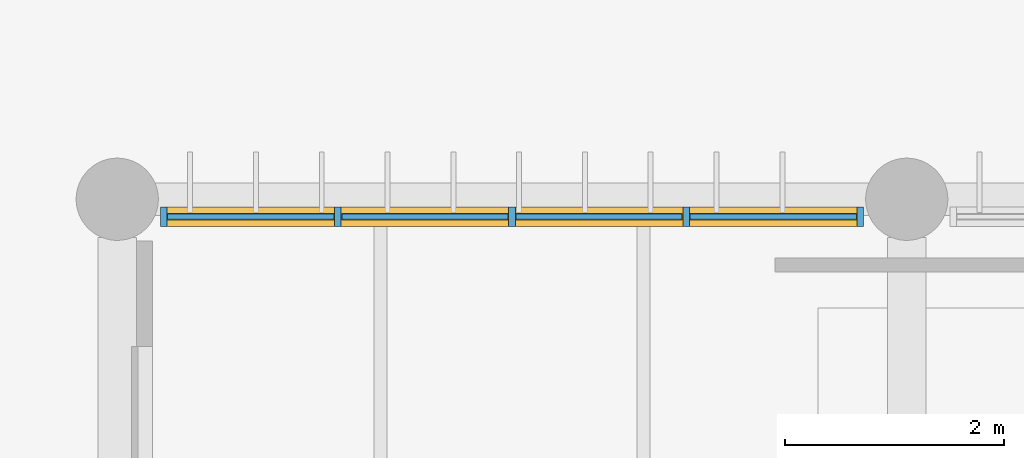
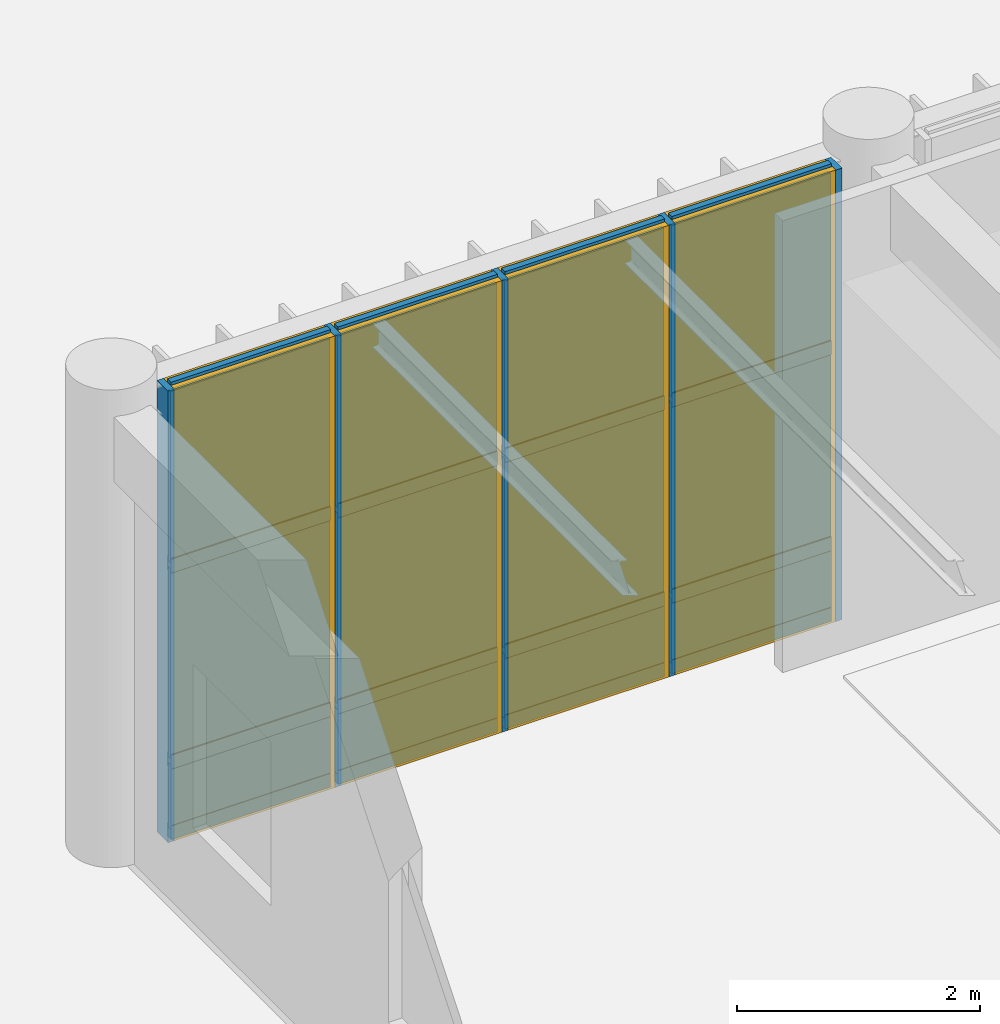
# One storey, part 58 of 122: 21 members, 12 plates, 1 curtain wall.
"""IFC4 building model written with IfcOpenShell, lengths in metres."""

from ifc_helpers import new_model, si_unit, direction, frame, frame_2d, origin, origin_2d, place, context, subcontext, project, spatial, rectangle, extrude, material, layer, layer_set, material_profile, profile_set, type_object, element, aggregate, save


model = new_model("IFC4")

# Units and contexts
model_context = context("Model", 3, precision=1e-05, world=origin(), true_north=direction((0.0, 1.0)))
body_context = subcontext(model_context, "Body", "Model", "MODEL_VIEW")
ifc_project = project(units=[si_unit("LENGTHUNIT", "METRE"), si_unit("AREAUNIT", "SQUARE_METRE"), si_unit("VOLUMEUNIT", "CUBIC_METRE"), si_unit("PLANEANGLEUNIT", "RADIAN"), si_unit("MASSUNIT", "GRAM", prefix="KILO")], contexts=[model_context])

# Member
ifc_material_1 = material(Name="Anodised Bronze Aluminium 6063-T6", Category="aluminium")
ifc_material_profile_1 = material_profile(ifc_material_1, rectangle(XDim=0.06005859375, YDim=0.179931640625, at=origin_2d()), Name="ALU MULLION 60x180")
ifc_profile_set_1 = profile_set([ifc_material_profile_1], Name="Anodised Bronze Aluminium 6063-T6")
member_type_1 = type_object("IfcMemberType", Name="Curtain-Wall Primary Mullion 60x180", PredefinedType="MULLION", material=ifc_profile_set_1)
site_placement = place(None, origin())
building_placement = place(site_placement, origin())
storey_placement = place(building_placement, origin())
member_1_placement = place(storey_placement, frame((36.425048828125, 30.0400390625, 0.0), z_axis=(0.0, 0.0, 1.0), x_axis=(1.0, 0.0, 0.0)))
member_1 = element("IfcMember", 1, at=member_1_placement, type_object=member_type_1, Name="Mullion CWM-01 CW-V5-NRET-W-L00-B1-M01", PredefinedType="MULLION", context=body_context, shape_type="SweptSolid", body=[
    extrude(rectangle(XDim=0.06005859375, YDim=0.179931640625, at=origin_2d()), origin(), (0.0, 0.0, 1.0), 4.5400390625),
])

member_2_placement = place(storey_placement, frame((38.012451171875, 30.0400390625, 0.0), z_axis=(0.0, 0.0, 1.0), x_axis=(1.0, 0.0, 0.0)))
member_2 = element("IfcMember", 2, at=member_2_placement, type_object=member_type_1, Name="Mullion CWM-01 CW-V5-NRET-W-L00-B1-M02", PredefinedType="MULLION", context=body_context, shape_type="SweptSolid", body=[
    extrude(rectangle(XDim=0.06005859375, YDim=0.179931640625, at=origin_2d()), origin(), (0.0, 0.0, 1.0), 4.5400390625),
])

member_3_placement = place(storey_placement, frame((39.60009765625, 30.0400390625, 0.0), z_axis=(0.0, 0.0, 1.0), x_axis=(1.0, 0.0, 0.0)))
member_3 = element("IfcMember", 3, at=member_3_placement, type_object=member_type_1, Name="Mullion CWM-01 CW-V5-NRET-W-L00-B1-M03", PredefinedType="MULLION", context=body_context, shape_type="SweptSolid", body=[
    extrude(rectangle(XDim=0.06005859375, YDim=0.179931640625, at=origin_2d()), origin(), (0.0, 0.0, 1.0), 4.5400390625),
])

member_4_placement = place(storey_placement, frame((41.1875, 30.0400390625, 0.0), z_axis=(0.0, 0.0, 1.0), x_axis=(1.0, 0.0, 0.0)))
member_4 = element("IfcMember", 4, at=member_4_placement, type_object=member_type_1, Name="Mullion CWM-01 CW-V5-NRET-W-L00-B1-M04", PredefinedType="MULLION", context=body_context, shape_type="SweptSolid", body=[
    extrude(rectangle(XDim=0.06005859375, YDim=0.179931640625, at=origin_2d()), origin(), (0.0, 0.0, 1.0), 4.5400390625),
])

member_5_placement = place(storey_placement, frame((42.77490234375, 30.0400390625, 0.0), z_axis=(0.0, 0.0, 1.0), x_axis=(1.0, 0.0, 0.0)))
member_5 = element("IfcMember", 5, at=member_5_placement, type_object=member_type_1, Name="Mullion CWM-01 CW-V5-NRET-W-L00-B1-M05", PredefinedType="MULLION", context=body_context, shape_type="SweptSolid", body=[
    extrude(rectangle(XDim=0.06005859375, YDim=0.179931640625, at=origin_2d()), origin(), (0.0, 0.0, 1.0), 4.5400390625),
])

ifc_material_profile_2 = material_profile(ifc_material_1, rectangle(XDim=0.06005859375, YDim=0.139892578125, at=origin_2d()), Name="ALU TRANSOM 60x140")
ifc_profile_set_2 = profile_set([ifc_material_profile_2], Name="Anodised Bronze Aluminium 6063-T6")
member_type_2 = type_object("IfcMemberType", Name="Curtain-Wall Transom 60x140", PredefinedType="USERDEFINED", material=ifc_profile_set_2)
member_6_placement = place(storey_placement, frame((36.4599609375, 30.0400390625, 0.0400390625), z_axis=(1.0, 0.0, 0.0), x_axis=(0.0, 1.0, 0.0)))
member_6 = element("IfcMember", 6, at=member_6_placement, type_object=member_type_2, Name="Transom CWT-01 CW-V5-NRET-W-L00-B1-T01.1", ObjectType="TRANSOM", PredefinedType="USERDEFINED", context=body_context, shape_type="SweptSolid", body=[
    extrude(rectangle(XDim=0.06005859375, YDim=0.139892578125, at=origin_2d()), origin(), (0.0, 0.0, 1.0), 1.517578125),
])

member_7_placement = place(storey_placement, frame((36.4599609375, 30.0400390625, 0.75), z_axis=(1.0, 0.0, 0.0), x_axis=(0.0, 1.0, 0.0)))
member_7 = element("IfcMember", 7, at=member_7_placement, type_object=member_type_2, Name="Transom CWT-01 CW-V5-NRET-W-L00-B1-T01.2", ObjectType="TRANSOM", PredefinedType="USERDEFINED", context=body_context, shape_type="SweptSolid", body=[
    extrude(rectangle(XDim=0.06005859375, YDim=0.139892578125, at=origin_2d()), origin(), (0.0, 0.0, 1.0), 1.517578125),
])

member_8_placement = place(storey_placement, frame((36.4599609375, 30.0400390625, 2.720703125), z_axis=(1.0, 0.0, 0.0), x_axis=(0.0, 1.0, 0.0)))
member_8 = element("IfcMember", 8, at=member_8_placement, type_object=member_type_2, Name="Transom CWT-01 CW-V5-NRET-W-L00-B1-T01.3", ObjectType="TRANSOM", PredefinedType="USERDEFINED", context=body_context, shape_type="SweptSolid", body=[
    extrude(rectangle(XDim=0.06005859375, YDim=0.139892578125, at=origin_2d()), origin(), (0.0, 0.0, 1.0), 1.517578125),
])

member_9_placement = place(storey_placement, frame((36.4599609375, 30.0400390625, 4.5), z_axis=(1.0, 0.0, 0.0), x_axis=(0.0, 1.0, 0.0)))
member_9 = element("IfcMember", 9, at=member_9_placement, type_object=member_type_2, Name="Transom CWT-01 CW-V5-NRET-W-L00-B1-T01.4", ObjectType="TRANSOM", PredefinedType="USERDEFINED", context=body_context, shape_type="SweptSolid", body=[
    extrude(rectangle(XDim=0.06005859375, YDim=0.139892578125, at=origin_2d()), origin(), (0.0, 0.0, 1.0), 1.517578125),
])

member_10_placement = place(storey_placement, frame((38.047607421875, 30.0400390625, 0.0400390625), z_axis=(1.0, 0.0, 0.0), x_axis=(0.0, 1.0, 0.0)))
member_10 = element("IfcMember", 10, at=member_10_placement, type_object=member_type_2, Name="Transom CWT-01 CW-V5-NRET-W-L00-B1-T02.1", ObjectType="TRANSOM", PredefinedType="USERDEFINED", context=body_context, shape_type="SweptSolid", body=[
    extrude(rectangle(XDim=0.06005859375, YDim=0.139892578125, at=origin_2d()), origin(), (0.0, 0.0, 1.0), 1.517333984375),
])

member_11_placement = place(storey_placement, frame((38.047607421875, 30.0400390625, 0.75), z_axis=(1.0, 0.0, 0.0), x_axis=(0.0, 1.0, 0.0)))
member_11 = element("IfcMember", 11, at=member_11_placement, type_object=member_type_2, Name="Transom CWT-01 CW-V5-NRET-W-L00-B1-T02.2", ObjectType="TRANSOM", PredefinedType="USERDEFINED", context=body_context, shape_type="SweptSolid", body=[
    extrude(rectangle(XDim=0.06005859375, YDim=0.139892578125, at=origin_2d()), origin(), (0.0, 0.0, 1.0), 1.517333984375),
])

member_12_placement = place(storey_placement, frame((38.047607421875, 30.0400390625, 2.720703125), z_axis=(1.0, 0.0, 0.0), x_axis=(0.0, 1.0, 0.0)))
member_12 = element("IfcMember", 12, at=member_12_placement, type_object=member_type_2, Name="Transom CWT-01 CW-V5-NRET-W-L00-B1-T02.3", ObjectType="TRANSOM", PredefinedType="USERDEFINED", context=body_context, shape_type="SweptSolid", body=[
    extrude(rectangle(XDim=0.06005859375, YDim=0.139892578125, at=origin_2d()), origin(), (0.0, 0.0, 1.0), 1.517333984375),
])

member_13_placement = place(storey_placement, frame((38.047607421875, 30.0400390625, 4.5), z_axis=(1.0, 0.0, 0.0), x_axis=(0.0, 1.0, 0.0)))
member_13 = element("IfcMember", 13, at=member_13_placement, type_object=member_type_2, Name="Transom CWT-01 CW-V5-NRET-W-L00-B1-T02.4", ObjectType="TRANSOM", PredefinedType="USERDEFINED", context=body_context, shape_type="SweptSolid", body=[
    extrude(rectangle(XDim=0.06005859375, YDim=0.139892578125, at=origin_2d()), origin(), (0.0, 0.0, 1.0), 1.517333984375),
])

member_14_placement = place(storey_placement, frame((39.635009765625, 30.0400390625, 0.0400390625), z_axis=(1.0, 0.0, 0.0), x_axis=(0.0, 1.0, 0.0)))
member_14 = element("IfcMember", 14, at=member_14_placement, type_object=member_type_2, Name="Transom CWT-01 CW-V5-NRET-W-L00-B1-T03.1", ObjectType="TRANSOM", PredefinedType="USERDEFINED", context=body_context, shape_type="SweptSolid", body=[
    extrude(rectangle(XDim=0.06005859375, YDim=0.139892578125, at=origin_2d()), origin(), (0.0, 0.0, 1.0), 1.517578125),
])

member_15_placement = place(storey_placement, frame((39.635009765625, 30.0400390625, 0.75), z_axis=(1.0, 0.0, 0.0), x_axis=(0.0, 1.0, 0.0)))
member_15 = element("IfcMember", 15, at=member_15_placement, type_object=member_type_2, Name="Transom CWT-01 CW-V5-NRET-W-L00-B1-T03.2", ObjectType="TRANSOM", PredefinedType="USERDEFINED", context=body_context, shape_type="SweptSolid", body=[
    extrude(rectangle(XDim=0.06005859375, YDim=0.139892578125, at=origin_2d()), origin(), (0.0, 0.0, 1.0), 1.517578125),
])

member_16_placement = place(storey_placement, frame((39.635009765625, 30.0400390625, 2.720703125), z_axis=(1.0, 0.0, 0.0), x_axis=(0.0, 1.0, 0.0)))
member_16 = element("IfcMember", 16, at=member_16_placement, type_object=member_type_2, Name="Transom CWT-01 CW-V5-NRET-W-L00-B1-T03.3", ObjectType="TRANSOM", PredefinedType="USERDEFINED", context=body_context, shape_type="SweptSolid", body=[
    extrude(rectangle(XDim=0.06005859375, YDim=0.139892578125, at=origin_2d()), origin(), (0.0, 0.0, 1.0), 1.517578125),
])

member_17_placement = place(storey_placement, frame((39.635009765625, 30.0400390625, 4.5), z_axis=(1.0, 0.0, 0.0), x_axis=(0.0, 1.0, 0.0)))
member_17 = element("IfcMember", 17, at=member_17_placement, type_object=member_type_2, Name="Transom CWT-01 CW-V5-NRET-W-L00-B1-T03.4", ObjectType="TRANSOM", PredefinedType="USERDEFINED", context=body_context, shape_type="SweptSolid", body=[
    extrude(rectangle(XDim=0.06005859375, YDim=0.139892578125, at=origin_2d()), origin(), (0.0, 0.0, 1.0), 1.517578125),
])

member_18_placement = place(storey_placement, frame((41.222412109375, 30.0400390625, 0.0400390625), z_axis=(1.0, 0.0, 0.0), x_axis=(0.0, 1.0, 0.0)))
member_18 = element("IfcMember", 18, at=member_18_placement, type_object=member_type_2, Name="Transom CWT-01 CW-V5-NRET-W-L00-B1-T04.1", ObjectType="TRANSOM", PredefinedType="USERDEFINED", context=body_context, shape_type="SweptSolid", body=[
    extrude(rectangle(XDim=0.06005859375, YDim=0.139892578125, at=origin_2d()), origin(), (0.0, 0.0, 1.0), 1.517578125),
])

member_19_placement = place(storey_placement, frame((41.222412109375, 30.0400390625, 0.75), z_axis=(1.0, 0.0, 0.0), x_axis=(0.0, 1.0, 0.0)))
member_19 = element("IfcMember", 19, at=member_19_placement, type_object=member_type_2, Name="Transom CWT-01 CW-V5-NRET-W-L00-B1-T04.2", ObjectType="TRANSOM", PredefinedType="USERDEFINED", context=body_context, shape_type="SweptSolid", body=[
    extrude(rectangle(XDim=0.06005859375, YDim=0.139892578125, at=origin_2d()), origin(), (0.0, 0.0, 1.0), 1.517578125),
])

member_20_placement = place(storey_placement, frame((41.222412109375, 30.0400390625, 2.720703125), z_axis=(1.0, 0.0, 0.0), x_axis=(0.0, 1.0, 0.0)))
member_20 = element("IfcMember", 20, at=member_20_placement, type_object=member_type_2, Name="Transom CWT-01 CW-V5-NRET-W-L00-B1-T04.3", ObjectType="TRANSOM", PredefinedType="USERDEFINED", context=body_context, shape_type="SweptSolid", body=[
    extrude(rectangle(XDim=0.06005859375, YDim=0.139892578125, at=origin_2d()), origin(), (0.0, 0.0, 1.0), 1.517578125),
])

member_21_placement = place(storey_placement, frame((41.222412109375, 30.0400390625, 4.5), z_axis=(1.0, 0.0, 0.0), x_axis=(0.0, 1.0, 0.0)))
member_21 = element("IfcMember", 21, at=member_21_placement, type_object=member_type_2, Name="Transom CWT-01 CW-V5-NRET-W-L00-B1-T04.4", ObjectType="TRANSOM", PredefinedType="USERDEFINED", context=body_context, shape_type="SweptSolid", body=[
    extrude(rectangle(XDim=0.06005859375, YDim=0.139892578125, at=origin_2d()), origin(), (0.0, 0.0, 1.0), 1.517578125),
])

# Plate
ifc_material_2 = material(Name="Insulated Bronze Aluminium Spandrel Panel", Category="aluminium")
ifc_layer_1 = layer(ifc_material_2, 0.050048828125, Name="Insulated Bronze Aluminium Spandrel Panel")
ifc_layer_set_1 = layer_set([ifc_layer_1], Name="Insulated Bronze Aluminium Spandrel Panel")
plate_type_1 = type_object("IfcPlateType", Name="Insulated Anodised Aluminium Spandrel Cassette 50", PredefinedType="CURTAIN_PANEL", material=ifc_layer_set_1)
plate_1_placement = place(storey_placement, frame((37.21875, 30.0400390625, 0.070068359375), z_axis=(0.0, 0.0, 1.0), x_axis=(1.0, 0.0, 0.0)))
plate_1 = element("IfcPlate", 22, at=plate_1_placement, type_object=plate_type_1, Name="Curtain Panel CWP-03 CW-V5-NRET-W-L00-B1-P01.1", PredefinedType="CURTAIN_PANEL", context=body_context, shape_type="SweptSolid", body=[
    extrude(rectangle(XDim=1.517578125, YDim=0.050048828125, at=origin_2d()), origin(), (0.0, 0.0, 1.0), 0.64990234375),
])

plate_2_placement = place(storey_placement, frame((38.80615234375, 30.0400390625, 0.070068359375), z_axis=(0.0, 0.0, 1.0), x_axis=(1.0, 0.0, 0.0)))
plate_2 = element("IfcPlate", 23, at=plate_2_placement, type_object=plate_type_1, Name="Curtain Panel CWP-03 CW-V5-NRET-W-L00-B1-P02.1", PredefinedType="CURTAIN_PANEL", context=body_context, shape_type="SweptSolid", body=[
    extrude(rectangle(XDim=1.517578125, YDim=0.050048828125, at=origin_2d()), origin(), (0.0, 0.0, 1.0), 0.64990234375),
])

plate_3_placement = place(storey_placement, frame((40.393798828125, 30.0400390625, 0.070068359375), z_axis=(0.0, 0.0, 1.0), x_axis=(1.0, 0.0, 0.0)))
plate_3 = element("IfcPlate", 24, at=plate_3_placement, type_object=plate_type_1, Name="Curtain Panel CWP-03 CW-V5-NRET-W-L00-B1-P03.1", PredefinedType="CURTAIN_PANEL", context=body_context, shape_type="SweptSolid", body=[
    extrude(rectangle(XDim=1.517578125, YDim=0.050048828125, at=origin_2d()), origin(), (0.0, 0.0, 1.0), 0.64990234375),
])

plate_4_placement = place(storey_placement, frame((41.981201171875, 30.0400390625, 0.070068359375), z_axis=(0.0, 0.0, 1.0), x_axis=(1.0, 0.0, 0.0)))
plate_4 = element("IfcPlate", 25, at=plate_4_placement, type_object=plate_type_1, Name="Curtain Panel CWP-03 CW-V5-NRET-W-L00-B1-P04.1", PredefinedType="CURTAIN_PANEL", context=body_context, shape_type="SweptSolid", body=[
    extrude(rectangle(XDim=1.517578125, YDim=0.050048828125, at=origin_2d()), origin(), (0.0, 0.0, 1.0), 0.64990234375),
])

ifc_material_3 = material(Name="Solar-Control Tempered Double Glazing", Category="glass")
ifc_layer_2 = layer(ifc_material_3, 0.0380859375, Name="Solar-Control Tempered Double Glazing")
ifc_layer_set_2 = layer_set([ifc_layer_2], Name="Solar-Control Tempered Double Glazing")
plate_type_2 = type_object("IfcPlateType", Name="Solar-Control Vision Glazing Unit 38", PredefinedType="CURTAIN_PANEL", material=ifc_layer_set_2)
plate_5_placement = place(storey_placement, frame((37.21875, 30.0400390625, 0.77978515625), z_axis=(0.0, 0.0, 1.0), x_axis=(1.0, 0.0, 0.0)))
plate_5 = element("IfcPlate", 26, at=plate_5_placement, type_object=plate_type_2, Name="Curtain Panel CWP-02 CW-V5-NRET-W-L00-B1-P01.2", PredefinedType="CURTAIN_PANEL", context=body_context, shape_type="SweptSolid", body=[
    extrude(rectangle(XDim=1.517578125, YDim=0.0380859375, at=origin_2d()), origin(), (0.0, 0.0, 1.0), 1.910888671875),
])

plate_6_placement = place(storey_placement, frame((37.21875, 30.0400390625, 2.750732421875), z_axis=(0.0, 0.0, 1.0), x_axis=(1.0, 0.0, 0.0)))
plate_6 = element("IfcPlate", 27, at=plate_6_placement, type_object=plate_type_2, Name="Curtain Panel CWP-02 CW-V5-NRET-W-L00-B1-P01.3", PredefinedType="CURTAIN_PANEL", context=body_context, shape_type="SweptSolid", body=[
    extrude(rectangle(XDim=1.517578125, YDim=0.0380859375, at=origin_2d()), origin(), (0.0, 0.0, 1.0), 1.71923828125),
])

plate_7_placement = place(storey_placement, frame((38.80615234375, 30.0400390625, 0.77978515625), z_axis=(0.0, 0.0, 1.0), x_axis=(1.0, 0.0, 0.0)))
plate_7 = element("IfcPlate", 28, at=plate_7_placement, type_object=plate_type_2, Name="Curtain Panel CWP-02 CW-V5-NRET-W-L00-B1-P02.2", PredefinedType="CURTAIN_PANEL", context=body_context, shape_type="SweptSolid", body=[
    extrude(rectangle(XDim=1.517578125, YDim=0.0380859375, at=origin_2d()), origin(), (0.0, 0.0, 1.0), 1.910888671875),
])

plate_8_placement = place(storey_placement, frame((38.80615234375, 30.0400390625, 2.750732421875), z_axis=(0.0, 0.0, 1.0), x_axis=(1.0, 0.0, 0.0)))
plate_8 = element("IfcPlate", 29, at=plate_8_placement, type_object=plate_type_2, Name="Curtain Panel CWP-02 CW-V5-NRET-W-L00-B1-P02.3", PredefinedType="CURTAIN_PANEL", context=body_context, shape_type="SweptSolid", body=[
    extrude(rectangle(XDim=1.517578125, YDim=0.0380859375, at=origin_2d()), origin(), (0.0, 0.0, 1.0), 1.71923828125),
])

plate_9_placement = place(storey_placement, frame((40.393798828125, 30.0400390625, 0.77978515625), z_axis=(0.0, 0.0, 1.0), x_axis=(1.0, 0.0, 0.0)))
plate_9 = element("IfcPlate", 30, at=plate_9_placement, type_object=plate_type_2, Name="Curtain Panel CWP-02 CW-V5-NRET-W-L00-B1-P03.2", PredefinedType="CURTAIN_PANEL", context=body_context, shape_type="SweptSolid", body=[
    extrude(rectangle(XDim=1.517578125, YDim=0.0380859375, at=origin_2d()), origin(), (0.0, 0.0, 1.0), 1.910888671875),
])

plate_10_placement = place(storey_placement, frame((40.393798828125, 30.0400390625, 2.750732421875), z_axis=(0.0, 0.0, 1.0), x_axis=(1.0, 0.0, 0.0)))
plate_10 = element("IfcPlate", 31, at=plate_10_placement, type_object=plate_type_2, Name="Curtain Panel CWP-02 CW-V5-NRET-W-L00-B1-P03.3", PredefinedType="CURTAIN_PANEL", context=body_context, shape_type="SweptSolid", body=[
    extrude(rectangle(XDim=1.517578125, YDim=0.0380859375, at=origin_2d()), origin(), (0.0, 0.0, 1.0), 1.71923828125),
])

plate_11_placement = place(storey_placement, frame((41.981201171875, 30.0400390625, 0.77978515625), z_axis=(0.0, 0.0, 1.0), x_axis=(1.0, 0.0, 0.0)))
plate_11 = element("IfcPlate", 32, at=plate_11_placement, type_object=plate_type_2, Name="Curtain Panel CWP-02 CW-V5-NRET-W-L00-B1-P04.2", PredefinedType="CURTAIN_PANEL", context=body_context, shape_type="SweptSolid", body=[
    extrude(rectangle(XDim=1.517578125, YDim=0.0380859375, at=origin_2d()), origin(), (0.0, 0.0, 1.0), 1.910888671875),
])

plate_12_placement = place(storey_placement, frame((41.981201171875, 30.0400390625, 2.750732421875), z_axis=(0.0, 0.0, 1.0), x_axis=(1.0, 0.0, 0.0)))
plate_12 = element("IfcPlate", 33, at=plate_12_placement, type_object=plate_type_2, Name="Curtain Panel CWP-02 CW-V5-NRET-W-L00-B1-P04.3", PredefinedType="CURTAIN_PANEL", context=body_context, shape_type="SweptSolid", body=[
    extrude(rectangle(XDim=1.517578125, YDim=0.0380859375, at=origin_2d()), origin(), (0.0, 0.0, 1.0), 1.71923828125),
])

# Site, building, storey
site = spatial("IfcSite", under=ifc_project, at=site_placement, CompositionType="ELEMENT")
building = spatial("IfcBuilding", under=site, at=building_placement, Name="Tazoul Stagehouse", CompositionType="ELEMENT")
storey = spatial("IfcBuildingStorey", under=building, at=storey_placement, Name="L00", CompositionType="ELEMENT", Elevation=0.0)

# Curtain wall
curtain_wall_type = type_object("IfcCurtainWallType", Name="Foyer Clear Solar-Control Curtain Wall", PredefinedType="NOTDEFINED", material=ifc_material_1)
curtain_wall_placement = place(storey_placement, frame((36.425048828125, 30.0400390625, 0.0), z_axis=(0.0, 0.0, 1.0), x_axis=(1.0, 0.0, 0.0)))
curtain_wall = element("IfcCurtainWall", 34, at=curtain_wall_placement, inside=storey, type_object=curtain_wall_type, Name="L00 Curtain Wall CW-02 (CW-V5-NRET-W-L00-B1)", PredefinedType="NOTDEFINED", context=body_context, shape_type="SweptSolid", body=[
    extrude(rectangle(XDim=6.349853515625, YDim=0.179931640625, at=frame_2d((3.1748046875, 0.0))), origin(), (0.0, 0.0, 1.0), 4.5400390625),
])

aggregate(curtain_wall, [member_1, member_2, member_3, member_4, member_5, member_6, member_7, member_8, member_9, plate_1, plate_5, plate_6, member_10, member_11, member_12, member_13, plate_2, plate_7, plate_8, member_14, member_15, member_16, member_17, plate_3, plate_9, plate_10, member_18, member_19, member_20, member_21, plate_4, plate_11, plate_12])

save(model, "model.ifc")
